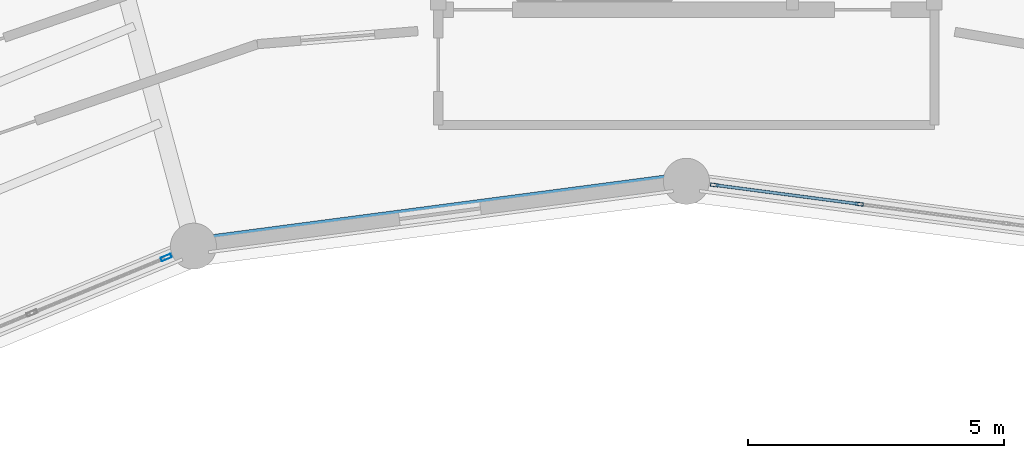
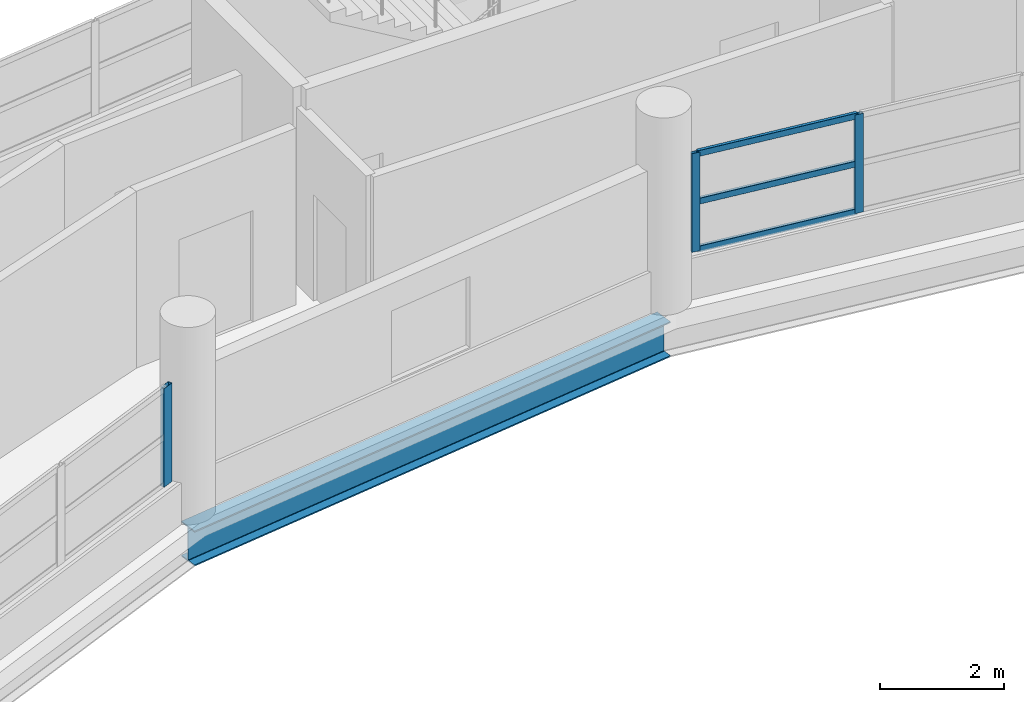
# One storey, part 54 of 121: 6 members, 1 beam, 2 elements without a shape of their own.
"""IFC4 building model written with IfcOpenShell, lengths in metres."""

from ifc_helpers import new_model, si_unit, direction, frame, origin, origin_2d, place, context, subcontext, project, spatial, hollow_rectangle, i_section, extrude, material, layer, layer_set, material_profile, profile_set, type_object, element, aggregate, save


model = new_model("IFC4")

# Units and contexts
model_context = context("Model", 3, precision=1e-05, world=origin(), true_north=direction((0.0, 1.0)))
body_context = subcontext(model_context, "Body", "Model", "MODEL_VIEW")
ifc_project = project(units=[si_unit("LENGTHUNIT", "METRE"), si_unit("AREAUNIT", "SQUARE_METRE"), si_unit("VOLUMEUNIT", "CUBIC_METRE"), si_unit("PLANEANGLEUNIT", "RADIAN"), si_unit("MASSUNIT", "GRAM", prefix="KILO")], contexts=[model_context])

# Site, building, storey
site_placement = place(None, origin())
site = spatial("IfcSite", under=ifc_project, at=site_placement, CompositionType="ELEMENT")
building_placement = place(site_placement, origin())
building = spatial("IfcBuilding", under=site, at=building_placement, Name="Vespera Passage Community Centre", CompositionType="ELEMENT")
storey_placement = place(building_placement, frame((0.0, 0.0, 8.699951171875)))
storey = spatial("IfcBuildingStorey", under=building, at=storey_placement, Name="L02", CompositionType="ELEMENT", Elevation=8.699951171875)

# Beam
ifc_material_1 = material(Name="Steel ASTM A992 Grade 50", Category="steel")
ifc_material_profile_1 = material_profile(ifc_material_1, i_section(OverallWidth=0.3544921875, OverallDepth=0.695556640625, WebThickness=0.015380859375, FlangeThickness=0.024658203125, FilletRadius=0.01513671875, at=origin_2d()), Name="W27X146")
ifc_profile_set_1 = profile_set([ifc_material_profile_1], Name="Steel ASTM A992 Grade 50")
beam_type = type_object("IfcBeamType", Name="BM-SP-W27X146E", PredefinedType="SPANDREL", material=ifc_profile_set_1)
beam_placement = place(storey_placement, frame((78.0, 102.699951171875, -0.687744140625), z_axis=(-0.991444794834, -0.130526697639, 0.0), x_axis=(0.130526697639, -0.991444794834, 0.0)))
element("IfcBeam", 1, at=beam_placement, inside=storey, type_object=beam_type, Name="V4 L02 Inner Spandrel 6", PredefinedType="SPANDREL", context=body_context, shape_type="SweptSolid", body=[
    extrude(i_section(OverallWidth=0.3544921875, OverallDepth=0.695556640625, WebThickness=0.015380859375, FlangeThickness=0.024658203125, FilletRadius=0.01513671875, at=origin_2d()), origin(), (0.0, 0.0, 1.0), 9.711181640625),
])

# Curtain wall, members
ifc_material_2 = material(Name="Anodized aluminium 6063-T6", Category="aluminium")
ifc_layer_1 = layer(ifc_material_2, 0.159912109375)
ifc_layer_set_1 = layer_set([ifc_layer_1], Name="Anodized aluminium 6063-T6")
curtain_wall_type_1 = type_object("IfcCurtainWallType", Name="CW-27E", PredefinedType="NOTDEFINED", material=ifc_layer_set_1)
curtain_wall_1_placement = place(storey_placement, origin())
curtain_wall_1 = element("IfcCurtainWall", 2, at=curtain_wall_1_placement, inside=storey, type_object=curtain_wall_type_1, Name="V4 L02 Inner Court Curtain Wall 5", PredefinedType="NOTDEFINED")
ifc_material_3 = material(Name="Anodized aluminium 6063-T6", Category="aluminium")
ifc_material_profile_2 = material_profile(ifc_material_3, hollow_rectangle(XDim=0.06494140625, YDim=0.14990234375, WallThickness=0.00390625, InnerFilletRadius=0.001953125, OuterFilletRadius=0.00390625, at=origin_2d()), Name="ALU150X65X4")
ifc_profile_set_2 = profile_set([ifc_material_profile_2], Name="Anodized aluminium 6063-T6")
member_type_1 = type_object("IfcMemberType", Name="MB-CWM-150E", PredefinedType="MULLION", material=ifc_profile_set_2)
member_1_placement = place(storey_placement, frame((81.38037109375, 102.2548828125, 0.820068359375), z_axis=(0.0, 0.0, 1.0), x_axis=(-0.1305221941, -0.991445387728, 0.0)))
member_1 = element("IfcMember", 3, at=member_1_placement, type_object=member_type_1, Name="CW-27E mullion 3", PredefinedType="MULLION", context=body_context, shape_type="SweptSolid", body=[
    extrude(hollow_rectangle(XDim=0.06494140625, YDim=0.14990234375, WallThickness=0.00390625, InnerFilletRadius=0.001953125, OuterFilletRadius=0.00390625, at=origin_2d()), origin(), (0.0, 0.0, 1.0), 1.949462890625),
])
member_2_placement = place(storey_placement, frame((78.54541015625, 102.628173828125, 0.820068359375), z_axis=(0.0, 0.0, 1.0), x_axis=(-0.1305221941, -0.991445387728, 0.0)))
member_2 = element("IfcMember", 4, at=member_2_placement, type_object=member_type_1, Name="CW-27E mullion 4", PredefinedType="MULLION", context=body_context, shape_type="SweptSolid", body=[
    extrude(hollow_rectangle(XDim=0.06494140625, YDim=0.14990234375, WallThickness=0.00390625, InnerFilletRadius=0.001953125, OuterFilletRadius=0.00390625, at=origin_2d()), origin(), (0.0, 0.0, 1.0), 1.949462890625),
])

# Curtain wall, member
ifc_material_4 = material(Name="Anodized aluminium 6063-T6", Category="aluminium")
ifc_layer_2 = layer(ifc_material_4, 0.159912109375)
ifc_layer_set_2 = layer_set([ifc_layer_2], Name="Anodized aluminium 6063-T6")
curtain_wall_type_2 = type_object("IfcCurtainWallType", Name="CW-25E", PredefinedType="NOTDEFINED", material=ifc_layer_set_2)
curtain_wall_2_placement = place(storey_placement, origin())
curtain_wall_2 = element("IfcCurtainWall", 5, at=curtain_wall_2_placement, inside=storey, type_object=curtain_wall_type_2, Name="V4 L02 Inner Court Curtain Wall 7", PredefinedType="NOTDEFINED")
ifc_material_5 = material(Name="Anodized aluminium 6063-T6", Category="aluminium")
ifc_material_profile_3 = material_profile(ifc_material_5, hollow_rectangle(XDim=0.074951171875, YDim=0.2099609375, WallThickness=0.0048828125, InnerFilletRadius=0.00244140625, OuterFilletRadius=0.0048828125, at=origin_2d()), Name="ALU210X75X5")
ifc_profile_set_3 = profile_set([ifc_material_profile_3], Name="Anodized aluminium 6063-T6")
member_type_2 = type_object("IfcMemberType", Name="MB-CWM-210E", PredefinedType="MULLION", material=ifc_profile_set_3)
member_3_placement = place(storey_placement, frame((67.838623046875, 101.211669921875, 0.820068359375), z_axis=(0.0, 0.0, 1.0), x_axis=(0.382690463482, -0.923876620096, 0.0)))
member_3 = element("IfcMember", 6, at=member_3_placement, type_object=member_type_2, Name="CW-25E mullion 1", PredefinedType="MULLION", context=body_context, shape_type="SweptSolid", body=[
    extrude(hollow_rectangle(XDim=0.074951171875, YDim=0.2099609375, WallThickness=0.0048828125, InnerFilletRadius=0.00244140625, OuterFilletRadius=0.0048828125, at=origin_2d()), origin(), (0.0, 0.0, 1.0), 1.949462890625),
])
aggregate(curtain_wall_2, [member_3])

# Member
ifc_material_6 = material(Name="Anodized aluminium 6063-T6", Category="aluminium")
ifc_material_profile_4 = material_profile(ifc_material_6, hollow_rectangle(XDim=0.06005859375, YDim=0.1201171875, WallThickness=0.00390625, InnerFilletRadius=0.001953125, OuterFilletRadius=0.00390625, at=origin_2d()), Name="ALU120X60X4")
ifc_profile_set_4 = profile_set([ifc_material_profile_4], Name="Anodized aluminium 6063-T6")
member_type_3 = type_object("IfcMemberType", Name="MB-CWT-120E", PredefinedType="USERDEFINED", material=ifc_profile_set_4)
member_4_placement = place(storey_placement, frame((81.34814453125, 102.25927734375, 0.85009765625), z_axis=(-0.991444777059, 0.130526832651, 0.0), x_axis=(-0.130526832651, -0.991444777059, 0.0)))
member_4 = element("IfcMember", 7, at=member_4_placement, type_object=member_type_3, Name="CW-27E transom 3.1", ObjectType="TRANSOM", PredefinedType="USERDEFINED", context=body_context, shape_type="SweptSolid", body=[
    extrude(hollow_rectangle(XDim=0.06005859375, YDim=0.1201171875, WallThickness=0.00390625, InnerFilletRadius=0.001953125, OuterFilletRadius=0.00390625, at=origin_2d()), origin(), (0.0, 0.0, 1.0), 2.79443359375),
])

member_5_placement = place(storey_placement, frame((81.34814453125, 102.25927734375, 1.794677734375), z_axis=(-0.991444777059, 0.130526832651, 0.0), x_axis=(-0.130526832651, -0.991444777059, 0.0)))
member_5 = element("IfcMember", 8, at=member_5_placement, type_object=member_type_3, Name="CW-27E transom 3.2", ObjectType="TRANSOM", PredefinedType="USERDEFINED", context=body_context, shape_type="SweptSolid", body=[
    extrude(hollow_rectangle(XDim=0.06005859375, YDim=0.1201171875, WallThickness=0.00390625, InnerFilletRadius=0.001953125, OuterFilletRadius=0.00390625, at=origin_2d()), origin(), (0.0, 0.0, 1.0), 2.79443359375),
])

member_6_placement = place(storey_placement, frame((81.34814453125, 102.25927734375, 2.739501953125), z_axis=(-0.991444777059, 0.130526832651, 0.0), x_axis=(-0.130526832651, -0.991444777059, 0.0)))
member_6 = element("IfcMember", 9, at=member_6_placement, type_object=member_type_3, Name="CW-27E transom 3.3", ObjectType="TRANSOM", PredefinedType="USERDEFINED", context=body_context, shape_type="SweptSolid", body=[
    extrude(hollow_rectangle(XDim=0.06005859375, YDim=0.1201171875, WallThickness=0.00390625, InnerFilletRadius=0.001953125, OuterFilletRadius=0.00390625, at=origin_2d()), origin(), (0.0, 0.0, 1.0), 2.79443359375),
])

aggregate(curtain_wall_1, [member_1, member_2, member_4, member_5, member_6])

save(model, "model.ifc")
